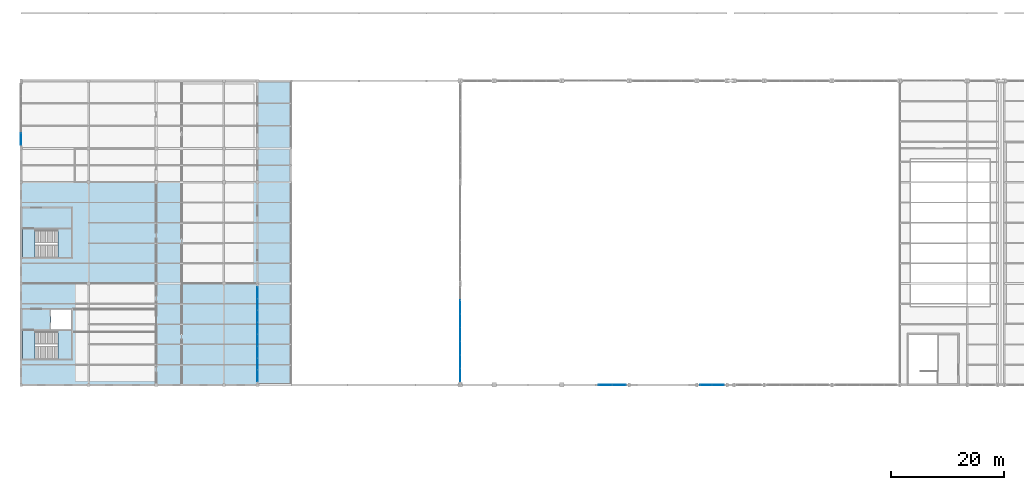
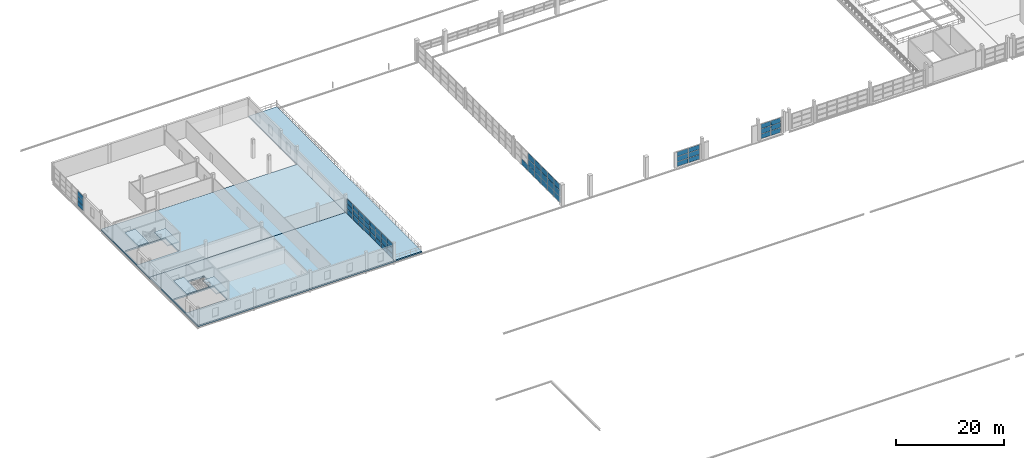
# One storey, part 70 of 86: 55 plates, 7 slabs, 7 elements without a shape of their own.
"""IFC4 building model written with IfcOpenShell, lengths in metres."""

from ifc_helpers import new_model, si_unit, direction, frame, origin, origin_2d, place, context, subcontext, project, spatial, polyline, rectangle, outline, extrude, material, layer, layer_set, type_object, element, aggregate, save


model = new_model("IFC4")

# Units and contexts
model_context = context("Model", 3, precision=1e-05, world=origin(), true_north=direction((0.0, 1.0)))
body_context = subcontext(model_context, "Body", "Model", "MODEL_VIEW")
ifc_project = project(units=[si_unit("LENGTHUNIT", "METRE"), si_unit("AREAUNIT", "SQUARE_METRE"), si_unit("VOLUMEUNIT", "CUBIC_METRE"), si_unit("PLANEANGLEUNIT", "RADIAN"), si_unit("MASSUNIT", "GRAM", prefix="KILO")], contexts=[model_context])

# Site, building, storey
site_placement = place(None, origin())
site = spatial("IfcSite", under=ifc_project, at=site_placement, CompositionType="ELEMENT")
building_placement = place(site_placement, origin())
building = spatial("IfcBuilding", under=site, at=building_placement, Name="Zilviju Railside Exhibition Hall", CompositionType="ELEMENT")
storey_placement = place(building_placement, frame((0.0, 0.0, 12.60009765625)))
storey = spatial("IfcBuildingStorey", under=building, at=storey_placement, Name="L04", CompositionType="ELEMENT", Elevation=12.60009765625)

# Curtain wall, plates
ifc_material_1 = material(Name="Thermally broken aluminium-steel triple-glazed curtain wall", Category="steel")
ifc_layer_1 = layer(ifc_material_1, 0.179931640625)
ifc_layer_set_1 = layer_set([ifc_layer_1], Name="Thermally broken aluminium-steel triple-glazed curtain wall")
curtain_wall_type_1 = type_object("IfcCurtainWallType", Name="CW-BAY-12", PredefinedType="USERDEFINED", material=ifc_layer_set_1)
curtain_wall_1_placement = place(storey_placement, origin())
curtain_wall_1 = element("IfcCurtainWall", 1, at=curtain_wall_1_placement, inside=storey, type_object=curtain_wall_type_1, Name="North Hall Garden Court Curtain Wall L04 (120..125)", ObjectType="GLAZED CURTAIN WALL", PredefinedType="USERDEFINED")
ifc_material_2 = material(Name="Triple-glazed solar-control glass unit", Category="glass")
ifc_layer_2 = layer(ifc_material_2, 0.0380859375)
ifc_layer_set_2 = layer_set([ifc_layer_2], Name="Triple-glazed solar-control glass unit")
plate_type_1 = type_object("IfcPlateType", Name="CWP-IGU-38", PredefinedType="CURTAIN_PANEL", material=ifc_layer_set_2)
plate_1_placement = place(storey_placement, frame((123.7587890625, 84.0, 0.06494140625), z_axis=(0.0, 0.0, 1.0), x_axis=(-1.0, 0.0, 0.0)))
plate_1 = element("IfcPlate", 2, at=plate_1_placement, type_object=plate_type_1, Name="CW-12 panel 1.1", PredefinedType="CURTAIN_PANEL", context=body_context, shape_type="SweptSolid", body=[
    extrude(rectangle(XDim=2.052490234375, YDim=0.0380859375, at=origin_2d()), origin(), (0.0, 0.0, 1.0), 1.052490234375),
])
plate_2_placement = place(storey_placement, frame((123.7587890625, 84.0, 1.182373046875), z_axis=(0.0, 0.0, 1.0), x_axis=(-1.0, 0.0, 0.0)))
plate_2 = element("IfcPlate", 3, at=plate_2_placement, type_object=plate_type_1, Name="CW-12 panel 1.2", PredefinedType="CURTAIN_PANEL", context=body_context, shape_type="SweptSolid", body=[
    extrude(rectangle(XDim=2.052490234375, YDim=0.0380859375, at=origin_2d()), origin(), (0.0, 0.0, 1.0), 1.0849609375),
])
plate_3_placement = place(storey_placement, frame((123.7587890625, 84.0, 2.33251953125), z_axis=(0.0, 0.0, 1.0), x_axis=(-1.0, 0.0, 0.0)))
plate_3 = element("IfcPlate", 4, at=plate_3_placement, type_object=plate_type_1, Name="CW-12 panel 1.3", PredefinedType="CURTAIN_PANEL", context=body_context, shape_type="SweptSolid", body=[
    extrude(rectangle(XDim=2.052490234375, YDim=0.0380859375, at=origin_2d()), origin(), (0.0, 0.0, 1.0), 1.052490234375),
])
plate_4_placement = place(storey_placement, frame((121.641357421875, 84.0, 0.06494140625), z_axis=(0.0, 0.0, 1.0), x_axis=(-1.0, 0.0, 0.0)))
plate_4 = element("IfcPlate", 5, at=plate_4_placement, type_object=plate_type_1, Name="CW-12 panel 2.1", PredefinedType="CURTAIN_PANEL", context=body_context, shape_type="SweptSolid", body=[
    extrude(rectangle(XDim=2.052490234375, YDim=0.0380859375, at=origin_2d()), origin(), (0.0, 0.0, 1.0), 1.052490234375),
])
plate_5_placement = place(storey_placement, frame((121.641357421875, 84.0, 1.182373046875), z_axis=(0.0, 0.0, 1.0), x_axis=(-1.0, 0.0, 0.0)))
plate_5 = element("IfcPlate", 6, at=plate_5_placement, type_object=plate_type_1, Name="CW-12 panel 2.2", PredefinedType="CURTAIN_PANEL", context=body_context, shape_type="SweptSolid", body=[
    extrude(rectangle(XDim=2.052490234375, YDim=0.0380859375, at=origin_2d()), origin(), (0.0, 0.0, 1.0), 1.0849609375),
])
plate_6_placement = place(storey_placement, frame((121.641357421875, 84.0, 2.33251953125), z_axis=(0.0, 0.0, 1.0), x_axis=(-1.0, 0.0, 0.0)))
plate_6 = element("IfcPlate", 7, at=plate_6_placement, type_object=plate_type_1, Name="CW-12 panel 2.3", PredefinedType="CURTAIN_PANEL", context=body_context, shape_type="SweptSolid", body=[
    extrude(rectangle(XDim=2.052490234375, YDim=0.0380859375, at=origin_2d()), origin(), (0.0, 0.0, 1.0), 1.052490234375),
])
aggregate(curtain_wall_1, [plate_1, plate_2, plate_3, plate_4, plate_5, plate_6])

ifc_layer_3 = layer(ifc_material_1, 0.179931640625)
ifc_layer_set_3 = layer_set([ifc_layer_3], Name="Thermally broken aluminium-steel triple-glazed curtain wall")
curtain_wall_type_2 = type_object("IfcCurtainWallType", Name="CW-BAY-16", PredefinedType="USERDEFINED", material=ifc_layer_set_3)
curtain_wall_2_placement = place(storey_placement, origin())
curtain_wall_2 = element("IfcCurtainWall", 8, at=curtain_wall_2_placement, inside=storey, type_object=curtain_wall_type_2, Name="North Hall West Upper Glazed Gable (84..102)", ObjectType="GLAZED CURTAIN WALL", PredefinedType="USERDEFINED")
plate_7_placement = place(storey_placement, frame((78.0, 85.7734375, 0.06494140625), z_axis=(0.0, 0.0, 1.0), x_axis=(0.0, 1.0, 0.0)))
plate_7 = element("IfcPlate", 9, at=plate_7_placement, type_object=plate_type_1, Name="CW-16 panel 1.1", PredefinedType="CURTAIN_PANEL", context=body_context, shape_type="SweptSolid", body=[
    extrude(rectangle(XDim=2.31689453125, YDim=0.0380859375, at=origin_2d()), origin(), (0.0, 0.0, 1.0), 1.302490234375),
])
plate_8_placement = place(storey_placement, frame((78.0, 85.7734375, 1.432373046875), z_axis=(0.0, 0.0, 1.0), x_axis=(0.0, 1.0, 0.0)))
plate_8 = element("IfcPlate", 10, at=plate_8_placement, type_object=plate_type_1, Name="CW-16 panel 1.2", PredefinedType="CURTAIN_PANEL", context=body_context, shape_type="SweptSolid", body=[
    extrude(rectangle(XDim=2.31689453125, YDim=0.0380859375, at=origin_2d()), origin(), (0.0, 0.0, 1.0), 1.3349609375),
])
plate_9_placement = place(storey_placement, frame((78.0, 85.7734375, 2.83251953125), z_axis=(0.0, 0.0, 1.0), x_axis=(0.0, 1.0, 0.0)))
plate_9 = element("IfcPlate", 11, at=plate_9_placement, type_object=plate_type_1, Name="CW-16 panel 1.3", PredefinedType="CURTAIN_PANEL", context=body_context, shape_type="SweptSolid", body=[
    extrude(rectangle(XDim=2.31689453125, YDim=0.0380859375, at=origin_2d()), origin(), (0.0, 0.0, 1.0), 1.302490234375),
])
plate_10_placement = place(storey_placement, frame((78.0, 88.17138671875, 0.06494140625), z_axis=(0.0, 0.0, 1.0), x_axis=(0.0, 1.0, 0.0)))
plate_10 = element("IfcPlate", 12, at=plate_10_placement, type_object=plate_type_1, Name="CW-16 panel 2.1", PredefinedType="CURTAIN_PANEL", context=body_context, shape_type="SweptSolid", body=[
    extrude(rectangle(XDim=2.349365234375, YDim=0.0380859375, at=origin_2d()), origin(), (0.0, 0.0, 1.0), 1.302490234375),
])
plate_11_placement = place(storey_placement, frame((78.0, 88.17138671875, 1.432373046875), z_axis=(0.0, 0.0, 1.0), x_axis=(0.0, 1.0, 0.0)))
plate_11 = element("IfcPlate", 13, at=plate_11_placement, type_object=plate_type_1, Name="CW-16 panel 2.2", PredefinedType="CURTAIN_PANEL", context=body_context, shape_type="SweptSolid", body=[
    extrude(rectangle(XDim=2.349365234375, YDim=0.0380859375, at=origin_2d()), origin(), (0.0, 0.0, 1.0), 1.3349609375),
])
plate_12_placement = place(storey_placement, frame((78.0, 88.17138671875, 2.83251953125), z_axis=(0.0, 0.0, 1.0), x_axis=(0.0, 1.0, 0.0)))
plate_12 = element("IfcPlate", 14, at=plate_12_placement, type_object=plate_type_1, Name="CW-16 panel 2.3", PredefinedType="CURTAIN_PANEL", context=body_context, shape_type="SweptSolid", body=[
    extrude(rectangle(XDim=2.349365234375, YDim=0.0380859375, at=origin_2d()), origin(), (0.0, 0.0, 1.0), 1.302490234375),
])
plate_13_placement = place(storey_placement, frame((78.0, 90.585693359375, 0.06494140625), z_axis=(0.0, 0.0, 1.0), x_axis=(0.0, 1.0, 0.0)))
plate_13 = element("IfcPlate", 15, at=plate_13_placement, type_object=plate_type_1, Name="CW-16 panel 3.1", PredefinedType="CURTAIN_PANEL", context=body_context, shape_type="SweptSolid", body=[
    extrude(rectangle(XDim=2.349365234375, YDim=0.0380859375, at=origin_2d()), origin(), (0.0, 0.0, 1.0), 1.302490234375),
])
plate_14_placement = place(storey_placement, frame((78.0, 90.585693359375, 1.432373046875), z_axis=(0.0, 0.0, 1.0), x_axis=(0.0, 1.0, 0.0)))
plate_14 = element("IfcPlate", 16, at=plate_14_placement, type_object=plate_type_1, Name="CW-16 panel 3.2", PredefinedType="CURTAIN_PANEL", context=body_context, shape_type="SweptSolid", body=[
    extrude(rectangle(XDim=2.349365234375, YDim=0.0380859375, at=origin_2d()), origin(), (0.0, 0.0, 1.0), 1.3349609375),
])
plate_15_placement = place(storey_placement, frame((78.0, 90.585693359375, 2.83251953125), z_axis=(0.0, 0.0, 1.0), x_axis=(0.0, 1.0, 0.0)))
plate_15 = element("IfcPlate", 17, at=plate_15_placement, type_object=plate_type_1, Name="CW-16 panel 3.3", PredefinedType="CURTAIN_PANEL", context=body_context, shape_type="SweptSolid", body=[
    extrude(rectangle(XDim=2.349365234375, YDim=0.0380859375, at=origin_2d()), origin(), (0.0, 0.0, 1.0), 1.302490234375),
])
plate_16_placement = place(storey_placement, frame((78.0, 93.0, 0.06494140625), z_axis=(0.0, 0.0, 1.0), x_axis=(0.0, 1.0, 0.0)))
plate_16 = element("IfcPlate", 18, at=plate_16_placement, type_object=plate_type_1, Name="CW-16 panel 4.1", PredefinedType="CURTAIN_PANEL", context=body_context, shape_type="SweptSolid", body=[
    extrude(rectangle(XDim=2.349365234375, YDim=0.0380859375, at=origin_2d()), origin(), (0.0, 0.0, 1.0), 1.302490234375),
])
plate_17_placement = place(storey_placement, frame((78.0, 93.0, 1.432373046875), z_axis=(0.0, 0.0, 1.0), x_axis=(0.0, 1.0, 0.0)))
plate_17 = element("IfcPlate", 19, at=plate_17_placement, type_object=plate_type_1, Name="CW-16 panel 4.2", PredefinedType="CURTAIN_PANEL", context=body_context, shape_type="SweptSolid", body=[
    extrude(rectangle(XDim=2.349365234375, YDim=0.0380859375, at=origin_2d()), origin(), (0.0, 0.0, 1.0), 1.3349609375),
])
plate_18_placement = place(storey_placement, frame((78.0, 93.0, 2.83251953125), z_axis=(0.0, 0.0, 1.0), x_axis=(0.0, 1.0, 0.0)))
plate_18 = element("IfcPlate", 20, at=plate_18_placement, type_object=plate_type_1, Name="CW-16 panel 4.3", PredefinedType="CURTAIN_PANEL", context=body_context, shape_type="SweptSolid", body=[
    extrude(rectangle(XDim=2.349365234375, YDim=0.0380859375, at=origin_2d()), origin(), (0.0, 0.0, 1.0), 1.302490234375),
])
plate_19_placement = place(storey_placement, frame((78.0, 95.414306640625, 0.06494140625), z_axis=(0.0, 0.0, 1.0), x_axis=(0.0, 1.0, 0.0)))
plate_19 = element("IfcPlate", 21, at=plate_19_placement, type_object=plate_type_1, Name="CW-16 panel 5.1", PredefinedType="CURTAIN_PANEL", context=body_context, shape_type="SweptSolid", body=[
    extrude(rectangle(XDim=2.349365234375, YDim=0.0380859375, at=origin_2d()), origin(), (0.0, 0.0, 1.0), 1.302490234375),
])
plate_20_placement = place(storey_placement, frame((78.0, 95.414306640625, 1.432373046875), z_axis=(0.0, 0.0, 1.0), x_axis=(0.0, 1.0, 0.0)))
plate_20 = element("IfcPlate", 22, at=plate_20_placement, type_object=plate_type_1, Name="CW-16 panel 5.2", PredefinedType="CURTAIN_PANEL", context=body_context, shape_type="SweptSolid", body=[
    extrude(rectangle(XDim=2.349365234375, YDim=0.0380859375, at=origin_2d()), origin(), (0.0, 0.0, 1.0), 1.3349609375),
])
plate_21_placement = place(storey_placement, frame((78.0, 95.414306640625, 2.83251953125), z_axis=(0.0, 0.0, 1.0), x_axis=(0.0, 1.0, 0.0)))
plate_21 = element("IfcPlate", 23, at=plate_21_placement, type_object=plate_type_1, Name="CW-16 panel 5.3", PredefinedType="CURTAIN_PANEL", context=body_context, shape_type="SweptSolid", body=[
    extrude(rectangle(XDim=2.349365234375, YDim=0.0380859375, at=origin_2d()), origin(), (0.0, 0.0, 1.0), 1.302490234375),
])
plate_22_placement = place(storey_placement, frame((78.0, 97.82861328125, 0.06494140625), z_axis=(0.0, 0.0, 1.0), x_axis=(0.0, 1.0, 0.0)))
plate_22 = element("IfcPlate", 24, at=plate_22_placement, type_object=plate_type_1, Name="CW-16 panel 6.1", PredefinedType="CURTAIN_PANEL", context=body_context, shape_type="SweptSolid", body=[
    extrude(rectangle(XDim=2.349365234375, YDim=0.0380859375, at=origin_2d()), origin(), (0.0, 0.0, 1.0), 1.302490234375),
])
aggregate(curtain_wall_2, [plate_7, plate_8, plate_9, plate_10, plate_11, plate_12, plate_13, plate_14, plate_15, plate_16, plate_17, plate_18, plate_19, plate_20, plate_21, plate_22])

ifc_layer_4 = layer(ifc_material_1, 0.179931640625)
ifc_layer_set_4 = layer_set([ifc_layer_4], Name="Thermally broken aluminium-steel triple-glazed curtain wall")
curtain_wall_type_3 = type_object("IfcCurtainWallType", Name="CW-BAY-11", PredefinedType="USERDEFINED", material=ifc_layer_set_4)
curtain_wall_3_placement = place(storey_placement, origin())
curtain_wall_3 = element("IfcCurtainWall", 25, at=curtain_wall_3_placement, inside=storey, type_object=curtain_wall_type_3, Name="North Hall Garden Court Curtain Wall L04 (102..108)", ObjectType="GLAZED CURTAIN WALL", PredefinedType="USERDEFINED")
ifc_material_3 = material(Name="Triple-glazed low-E argon insulating glass unit", Category="glass")
ifc_layer_5 = layer(ifc_material_3, 0.0439453125)
ifc_layer_set_5 = layer_set([ifc_layer_5], Name="Triple-glazed low-E argon insulating glass unit")
plate_type_2 = type_object("IfcPlateType", Name="CWP-IGU-44", PredefinedType="CURTAIN_PANEL", material=ifc_layer_set_5)
plate_23_placement = place(storey_placement, frame((106.20751953125, 84.0, 0.06982421875), z_axis=(0.0, 0.0, 1.0), x_axis=(-1.0, 0.0, 0.0)))
plate_23 = element("IfcPlate", 26, at=plate_23_placement, type_object=plate_type_2, Name="CW-11 panel 1.1", PredefinedType="CURTAIN_PANEL", context=body_context, shape_type="SweptSolid", body=[
    extrude(rectangle(XDim=2.344970703125, YDim=0.0439453125, at=origin_2d()), origin(), (0.0, 0.0, 1.0), 1.044921875),
])
plate_24_placement = place(storey_placement, frame((106.20751953125, 84.0, 1.184814453125), z_axis=(0.0, 0.0, 1.0), x_axis=(-1.0, 0.0, 0.0)))
plate_24 = element("IfcPlate", 27, at=plate_24_placement, type_object=plate_type_2, Name="CW-11 panel 1.2", PredefinedType="CURTAIN_PANEL", context=body_context, shape_type="SweptSolid", body=[
    extrude(rectangle(XDim=2.344970703125, YDim=0.0439453125, at=origin_2d()), origin(), (0.0, 0.0, 1.0), 1.080078125),
])
plate_25_placement = place(storey_placement, frame((106.20751953125, 84.0, 2.3349609375), z_axis=(0.0, 0.0, 1.0), x_axis=(-1.0, 0.0, 0.0)))
plate_25 = element("IfcPlate", 28, at=plate_25_placement, type_object=plate_type_2, Name="CW-11 panel 1.3", PredefinedType="CURTAIN_PANEL", context=body_context, shape_type="SweptSolid", body=[
    extrude(rectangle(XDim=2.344970703125, YDim=0.0439453125, at=origin_2d()), origin(), (0.0, 0.0, 1.0), 1.044921875),
])
plate_26_placement = place(storey_placement, frame((103.79248046875, 84.0, 0.06982421875), z_axis=(0.0, 0.0, 1.0), x_axis=(-1.0, 0.0, 0.0)))
plate_26 = element("IfcPlate", 29, at=plate_26_placement, type_object=plate_type_2, Name="CW-11 panel 2.1", PredefinedType="CURTAIN_PANEL", context=body_context, shape_type="SweptSolid", body=[
    extrude(rectangle(XDim=2.344970703125, YDim=0.0439453125, at=origin_2d()), origin(), (0.0, 0.0, 1.0), 1.044921875),
])
plate_27_placement = place(storey_placement, frame((103.79248046875, 84.0, 1.184814453125), z_axis=(0.0, 0.0, 1.0), x_axis=(-1.0, 0.0, 0.0)))
plate_27 = element("IfcPlate", 30, at=plate_27_placement, type_object=plate_type_2, Name="CW-11 panel 2.2", PredefinedType="CURTAIN_PANEL", context=body_context, shape_type="SweptSolid", body=[
    extrude(rectangle(XDim=2.344970703125, YDim=0.0439453125, at=origin_2d()), origin(), (0.0, 0.0, 1.0), 1.080078125),
])
plate_28_placement = place(storey_placement, frame((103.79248046875, 84.0, 2.3349609375), z_axis=(0.0, 0.0, 1.0), x_axis=(-1.0, 0.0, 0.0)))
plate_28 = element("IfcPlate", 31, at=plate_28_placement, type_object=plate_type_2, Name="CW-11 panel 2.3", PredefinedType="CURTAIN_PANEL", context=body_context, shape_type="SweptSolid", body=[
    extrude(rectangle(XDim=2.344970703125, YDim=0.0439453125, at=origin_2d()), origin(), (0.0, 0.0, 1.0), 1.044921875),
])
aggregate(curtain_wall_3, [plate_23, plate_24, plate_25, plate_26, plate_27, plate_28])

ifc_layer_6 = layer(ifc_material_1, 0.179931640625)
ifc_layer_set_6 = layer_set([ifc_layer_6], Name="Thermally broken aluminium-steel triple-glazed curtain wall")
curtain_wall_type_4 = type_object("IfcCurtainWallType", Name="CW-BAY-06", PredefinedType="USERDEFINED", material=ifc_layer_set_6)
curtain_wall_4_placement = place(storey_placement, origin())
curtain_wall_4 = element("IfcCurtainWall", 32, at=curtain_wall_4_placement, inside=storey, type_object=curtain_wall_type_4, Name="Organisers Wing Jugendstils Erkeri Curtain Wall L04", ObjectType="GLAZED CURTAIN WALL", PredefinedType="USERDEFINED")
ifc_material_4 = material(Name="Insulated cobalt-blue enamelled spandrel glass panel", Category="glass")
ifc_layer_7 = layer(ifc_material_4, 0.052001953125)
ifc_layer_set_7 = layer_set([ifc_layer_7], Name="Insulated cobalt-blue enamelled spandrel glass panel")
plate_type_3 = type_object("IfcPlateType", Name="CWP-SPD-52", PredefinedType="CURTAIN_PANEL", material=ifc_layer_set_7)
plate_29_placement = place(storey_placement, frame((0.0, 127.659912109375, 0.080078125), z_axis=(0.0, 0.0, 1.0), x_axis=(0.0, 1.0, 0.0)))
plate_29 = element("IfcPlate", 33, at=plate_29_placement, type_object=plate_type_3, Name="CW-06 panel 1.1", PredefinedType="CURTAIN_PANEL", context=body_context, shape_type="SweptSolid", body=[
    extrude(rectangle(XDim=2.06005859375, YDim=0.052001953125, at=origin_2d()), origin(), (0.0, 0.0, 1.0), 1.047119140625),
])
plate_30_placement = place(storey_placement, frame((0.0, 127.659912109375, 1.20703125), z_axis=(0.0, 0.0, 1.0), x_axis=(0.0, 1.0, 0.0)))
plate_30 = element("IfcPlate", 34, at=plate_30_placement, type_object=plate_type_3, Name="CW-06 panel 1.2", PredefinedType="CURTAIN_PANEL", context=body_context, shape_type="SweptSolid", body=[
    extrude(rectangle(XDim=2.06005859375, YDim=0.052001953125, at=origin_2d()), origin(), (0.0, 0.0, 1.0), 1.0859375),
])
plate_31_placement = place(storey_placement, frame((0.0, 127.659912109375, 2.373046875), z_axis=(0.0, 0.0, 1.0), x_axis=(0.0, 1.0, 0.0)))
plate_31 = element("IfcPlate", 35, at=plate_31_placement, type_object=plate_type_3, Name="CW-06 panel 1.3", PredefinedType="CURTAIN_PANEL", context=body_context, shape_type="SweptSolid", body=[
    extrude(rectangle(XDim=2.06005859375, YDim=0.052001953125, at=origin_2d()), origin(), (0.0, 0.0, 1.0), 1.047119140625),
])
aggregate(curtain_wall_4, [plate_29, plate_30, plate_31])

ifc_layer_8 = layer(ifc_material_1, 0.179931640625)
ifc_layer_set_8 = layer_set([ifc_layer_8], Name="Thermally broken aluminium-steel triple-glazed curtain wall")
curtain_wall_type_5 = type_object("IfcCurtainWallType", Name="CW-BAY-07", PredefinedType="USERDEFINED", material=ifc_layer_set_8)
curtain_wall_5_placement = place(storey_placement, origin())
curtain_wall_5 = element("IfcCurtainWall", 36, at=curtain_wall_5_placement, inside=storey, type_object=curtain_wall_type_5, Name="Organisers L04 Terrace Lounge Curtain Wall", ObjectType="GLAZED CURTAIN WALL", PredefinedType="USERDEFINED")
ifc_material_5 = material(Name="Insulated emerald ceramic-frit spandrel panel", Category="glass")
ifc_layer_9 = layer(ifc_material_5, 0.06396484375)
ifc_layer_set_9 = layer_set([ifc_layer_9], Name="Insulated emerald ceramic-frit spandrel panel")
plate_type_4 = type_object("IfcPlateType", Name="CWP-SPD-64", PredefinedType="CURTAIN_PANEL", material=ifc_layer_set_9)
plate_32_placement = place(storey_placement, frame((42.0, 100.375, 0.074951171875), z_axis=(0.0, 0.0, 1.0), x_axis=(0.0, -1.0, 0.0)))
plate_32 = element("IfcPlate", 37, at=plate_32_placement, type_object=plate_type_4, Name="CW-07 panel 1.1", PredefinedType="CURTAIN_PANEL", context=body_context, shape_type="SweptSolid", body=[
    extrude(rectangle(XDim=2.0, YDim=0.06396484375, at=origin_2d()), origin(), (0.0, 0.0, 1.0), 1.060546875),
])
plate_33_placement = place(storey_placement, frame((42.0, 100.375, 1.21044921875), z_axis=(0.0, 0.0, 1.0), x_axis=(0.0, -1.0, 0.0)))
plate_33 = element("IfcPlate", 38, at=plate_33_placement, type_object=plate_type_4, Name="CW-07 panel 1.2", PredefinedType="CURTAIN_PANEL", context=body_context, shape_type="SweptSolid", body=[
    extrude(rectangle(XDim=2.0, YDim=0.06396484375, at=origin_2d()), origin(), (0.0, 0.0, 1.0), 1.09912109375),
])
plate_34_placement = place(storey_placement, frame((42.0, 100.375, 2.38427734375), z_axis=(0.0, 0.0, 1.0), x_axis=(0.0, -1.0, 0.0)))
plate_34 = element("IfcPlate", 39, at=plate_34_placement, type_object=plate_type_4, Name="CW-07 panel 1.3", PredefinedType="CURTAIN_PANEL", context=body_context, shape_type="SweptSolid", body=[
    extrude(rectangle(XDim=2.0, YDim=0.06396484375, at=origin_2d()), origin(), (0.0, 0.0, 1.0), 1.060546875),
])
plate_35_placement = place(storey_placement, frame((42.0, 98.28125, 0.074951171875), z_axis=(0.0, 0.0, 1.0), x_axis=(0.0, -1.0, 0.0)))
plate_35 = element("IfcPlate", 40, at=plate_35_placement, type_object=plate_type_4, Name="CW-07 panel 2.1", PredefinedType="CURTAIN_PANEL", context=body_context, shape_type="SweptSolid", body=[
    extrude(rectangle(XDim=2.03759765625, YDim=0.06396484375, at=origin_2d()), origin(), (0.0, 0.0, 1.0), 1.060546875),
])
plate_36_placement = place(storey_placement, frame((42.0, 98.28125, 1.21044921875), z_axis=(0.0, 0.0, 1.0), x_axis=(0.0, -1.0, 0.0)))
plate_36 = element("IfcPlate", 41, at=plate_36_placement, type_object=plate_type_4, Name="CW-07 panel 2.2", PredefinedType="CURTAIN_PANEL", context=body_context, shape_type="SweptSolid", body=[
    extrude(rectangle(XDim=2.03759765625, YDim=0.06396484375, at=origin_2d()), origin(), (0.0, 0.0, 1.0), 1.09912109375),
])
plate_37_placement = place(storey_placement, frame((42.0, 98.28125, 2.38427734375), z_axis=(0.0, 0.0, 1.0), x_axis=(0.0, -1.0, 0.0)))
plate_37 = element("IfcPlate", 42, at=plate_37_placement, type_object=plate_type_4, Name="CW-07 panel 2.3", PredefinedType="CURTAIN_PANEL", context=body_context, shape_type="SweptSolid", body=[
    extrude(rectangle(XDim=2.03759765625, YDim=0.06396484375, at=origin_2d()), origin(), (0.0, 0.0, 1.0), 1.060546875),
])
plate_38_placement = place(storey_placement, frame((42.0, 96.168701171875, 0.074951171875), z_axis=(0.0, 0.0, 1.0), x_axis=(0.0, -1.0, 0.0)))
plate_38 = element("IfcPlate", 43, at=plate_38_placement, type_object=plate_type_4, Name="CW-07 panel 3.1", PredefinedType="CURTAIN_PANEL", context=body_context, shape_type="SweptSolid", body=[
    extrude(rectangle(XDim=2.03759765625, YDim=0.06396484375, at=origin_2d()), origin(), (0.0, 0.0, 1.0), 1.060546875),
])
plate_39_placement = place(storey_placement, frame((42.0, 96.168701171875, 1.21044921875), z_axis=(0.0, 0.0, 1.0), x_axis=(0.0, -1.0, 0.0)))
plate_39 = element("IfcPlate", 44, at=plate_39_placement, type_object=plate_type_4, Name="CW-07 panel 3.2", PredefinedType="CURTAIN_PANEL", context=body_context, shape_type="SweptSolid", body=[
    extrude(rectangle(XDim=2.03759765625, YDim=0.06396484375, at=origin_2d()), origin(), (0.0, 0.0, 1.0), 1.09912109375),
])
plate_40_placement = place(storey_placement, frame((42.0, 96.168701171875, 2.38427734375), z_axis=(0.0, 0.0, 1.0), x_axis=(0.0, -1.0, 0.0)))
plate_40 = element("IfcPlate", 45, at=plate_40_placement, type_object=plate_type_4, Name="CW-07 panel 3.3", PredefinedType="CURTAIN_PANEL", context=body_context, shape_type="SweptSolid", body=[
    extrude(rectangle(XDim=2.03759765625, YDim=0.06396484375, at=origin_2d()), origin(), (0.0, 0.0, 1.0), 1.060546875),
])
plate_41_placement = place(storey_placement, frame((42.0, 94.05615234375, 0.074951171875), z_axis=(0.0, 0.0, 1.0), x_axis=(0.0, -1.0, 0.0)))
plate_41 = element("IfcPlate", 46, at=plate_41_placement, type_object=plate_type_4, Name="CW-07 panel 4.1", PredefinedType="CURTAIN_PANEL", context=body_context, shape_type="SweptSolid", body=[
    extrude(rectangle(XDim=2.03759765625, YDim=0.06396484375, at=origin_2d()), origin(), (0.0, 0.0, 1.0), 1.060546875),
])
plate_42_placement = place(storey_placement, frame((42.0, 94.05615234375, 1.21044921875), z_axis=(0.0, 0.0, 1.0), x_axis=(0.0, -1.0, 0.0)))
plate_42 = element("IfcPlate", 47, at=plate_42_placement, type_object=plate_type_4, Name="CW-07 panel 4.2", PredefinedType="CURTAIN_PANEL", context=body_context, shape_type="SweptSolid", body=[
    extrude(rectangle(XDim=2.03759765625, YDim=0.06396484375, at=origin_2d()), origin(), (0.0, 0.0, 1.0), 1.09912109375),
])
plate_43_placement = place(storey_placement, frame((42.0, 94.05615234375, 2.38427734375), z_axis=(0.0, 0.0, 1.0), x_axis=(0.0, -1.0, 0.0)))
plate_43 = element("IfcPlate", 48, at=plate_43_placement, type_object=plate_type_4, Name="CW-07 panel 4.3", PredefinedType="CURTAIN_PANEL", context=body_context, shape_type="SweptSolid", body=[
    extrude(rectangle(XDim=2.03759765625, YDim=0.06396484375, at=origin_2d()), origin(), (0.0, 0.0, 1.0), 1.060546875),
])
plate_44_placement = place(storey_placement, frame((42.0, 91.94384765625, 0.074951171875), z_axis=(0.0, 0.0, 1.0), x_axis=(0.0, -1.0, 0.0)))
plate_44 = element("IfcPlate", 49, at=plate_44_placement, type_object=plate_type_4, Name="CW-07 panel 5.1", PredefinedType="CURTAIN_PANEL", context=body_context, shape_type="SweptSolid", body=[
    extrude(rectangle(XDim=2.03759765625, YDim=0.06396484375, at=origin_2d()), origin(), (0.0, 0.0, 1.0), 1.060546875),
])
plate_45_placement = place(storey_placement, frame((42.0, 91.94384765625, 1.21044921875), z_axis=(0.0, 0.0, 1.0), x_axis=(0.0, -1.0, 0.0)))
plate_45 = element("IfcPlate", 50, at=plate_45_placement, type_object=plate_type_4, Name="CW-07 panel 5.2", PredefinedType="CURTAIN_PANEL", context=body_context, shape_type="SweptSolid", body=[
    extrude(rectangle(XDim=2.03759765625, YDim=0.06396484375, at=origin_2d()), origin(), (0.0, 0.0, 1.0), 1.09912109375),
])
plate_46_placement = place(storey_placement, frame((42.0, 91.94384765625, 2.38427734375), z_axis=(0.0, 0.0, 1.0), x_axis=(0.0, -1.0, 0.0)))
plate_46 = element("IfcPlate", 51, at=plate_46_placement, type_object=plate_type_4, Name="CW-07 panel 5.3", PredefinedType="CURTAIN_PANEL", context=body_context, shape_type="SweptSolid", body=[
    extrude(rectangle(XDim=2.03759765625, YDim=0.06396484375, at=origin_2d()), origin(), (0.0, 0.0, 1.0), 1.060546875),
])
plate_47_placement = place(storey_placement, frame((42.0, 89.831298828125, 0.074951171875), z_axis=(0.0, 0.0, 1.0), x_axis=(0.0, -1.0, 0.0)))
plate_47 = element("IfcPlate", 52, at=plate_47_placement, type_object=plate_type_4, Name="CW-07 panel 6.1", PredefinedType="CURTAIN_PANEL", context=body_context, shape_type="SweptSolid", body=[
    extrude(rectangle(XDim=2.03759765625, YDim=0.06396484375, at=origin_2d()), origin(), (0.0, 0.0, 1.0), 1.060546875),
])
plate_48_placement = place(storey_placement, frame((42.0, 89.831298828125, 1.21044921875), z_axis=(0.0, 0.0, 1.0), x_axis=(0.0, -1.0, 0.0)))
plate_48 = element("IfcPlate", 53, at=plate_48_placement, type_object=plate_type_4, Name="CW-07 panel 6.2", PredefinedType="CURTAIN_PANEL", context=body_context, shape_type="SweptSolid", body=[
    extrude(rectangle(XDim=2.03759765625, YDim=0.06396484375, at=origin_2d()), origin(), (0.0, 0.0, 1.0), 1.09912109375),
])
plate_49_placement = place(storey_placement, frame((42.0, 89.831298828125, 2.38427734375), z_axis=(0.0, 0.0, 1.0), x_axis=(0.0, -1.0, 0.0)))
plate_49 = element("IfcPlate", 54, at=plate_49_placement, type_object=plate_type_4, Name="CW-07 panel 6.3", PredefinedType="CURTAIN_PANEL", context=body_context, shape_type="SweptSolid", body=[
    extrude(rectangle(XDim=2.03759765625, YDim=0.06396484375, at=origin_2d()), origin(), (0.0, 0.0, 1.0), 1.060546875),
])
plate_50_placement = place(storey_placement, frame((42.0, 87.71875, 0.074951171875), z_axis=(0.0, 0.0, 1.0), x_axis=(0.0, -1.0, 0.0)))
plate_50 = element("IfcPlate", 55, at=plate_50_placement, type_object=plate_type_4, Name="CW-07 panel 7.1", PredefinedType="CURTAIN_PANEL", context=body_context, shape_type="SweptSolid", body=[
    extrude(rectangle(XDim=2.03759765625, YDim=0.06396484375, at=origin_2d()), origin(), (0.0, 0.0, 1.0), 1.060546875),
])
plate_51_placement = place(storey_placement, frame((42.0, 87.71875, 1.21044921875), z_axis=(0.0, 0.0, 1.0), x_axis=(0.0, -1.0, 0.0)))
plate_51 = element("IfcPlate", 56, at=plate_51_placement, type_object=plate_type_4, Name="CW-07 panel 7.2", PredefinedType="CURTAIN_PANEL", context=body_context, shape_type="SweptSolid", body=[
    extrude(rectangle(XDim=2.03759765625, YDim=0.06396484375, at=origin_2d()), origin(), (0.0, 0.0, 1.0), 1.09912109375),
])
plate_52_placement = place(storey_placement, frame((42.0, 87.71875, 2.38427734375), z_axis=(0.0, 0.0, 1.0), x_axis=(0.0, -1.0, 0.0)))
plate_52 = element("IfcPlate", 57, at=plate_52_placement, type_object=plate_type_4, Name="CW-07 panel 7.3", PredefinedType="CURTAIN_PANEL", context=body_context, shape_type="SweptSolid", body=[
    extrude(rectangle(XDim=2.03759765625, YDim=0.06396484375, at=origin_2d()), origin(), (0.0, 0.0, 1.0), 1.060546875),
])
plate_53_placement = place(storey_placement, frame((42.0, 85.625, 0.074951171875), z_axis=(0.0, 0.0, 1.0), x_axis=(0.0, -1.0, 0.0)))
plate_53 = element("IfcPlate", 58, at=plate_53_placement, type_object=plate_type_4, Name="CW-07 panel 8.1", PredefinedType="CURTAIN_PANEL", context=body_context, shape_type="SweptSolid", body=[
    extrude(rectangle(XDim=2.0, YDim=0.06396484375, at=origin_2d()), origin(), (0.0, 0.0, 1.0), 1.060546875),
])
plate_54_placement = place(storey_placement, frame((42.0, 85.625, 1.21044921875), z_axis=(0.0, 0.0, 1.0), x_axis=(0.0, -1.0, 0.0)))
plate_54 = element("IfcPlate", 59, at=plate_54_placement, type_object=plate_type_4, Name="CW-07 panel 8.2", PredefinedType="CURTAIN_PANEL", context=body_context, shape_type="SweptSolid", body=[
    extrude(rectangle(XDim=2.0, YDim=0.06396484375, at=origin_2d()), origin(), (0.0, 0.0, 1.0), 1.09912109375),
])
plate_55_placement = place(storey_placement, frame((42.0, 85.625, 2.38427734375), z_axis=(0.0, 0.0, 1.0), x_axis=(0.0, -1.0, 0.0)))
plate_55 = element("IfcPlate", 60, at=plate_55_placement, type_object=plate_type_4, Name="CW-07 panel 8.3", PredefinedType="CURTAIN_PANEL", context=body_context, shape_type="SweptSolid", body=[
    extrude(rectangle(XDim=2.0, YDim=0.06396484375, at=origin_2d()), origin(), (0.0, 0.0, 1.0), 1.060546875),
])
aggregate(curtain_wall_5, [plate_32, plate_33, plate_34, plate_35, plate_36, plate_37, plate_38, plate_39, plate_40, plate_41, plate_42, plate_43, plate_44, plate_45, plate_46, plate_47, plate_48, plate_49, plate_50, plate_51, plate_52, plate_53, plate_54, plate_55])

# Slabs
ifc_material_6 = material(Name="Concrete C35/45", Category="concrete")
ifc_layer_10 = layer(ifc_material_6, 0.340087890625)
ifc_layer_set_10 = layer_set([ifc_layer_10], Name="Concrete C35/45")
slab_type_1 = type_object("IfcSlabType", Name="SL-FLR-340", PredefinedType="FLOOR", material=ifc_layer_set_10)
slab_1_placement = place(storey_placement, frame((0.0, 0.0, -0.340087890625)))
element("IfcSlab", 61, at=slab_1_placement, inside=storey, type_object=slab_type_1, Name="Organisers Wing L04 Floor Slab 1", PredefinedType="FLOOR", context=body_context, shape_type="SweptSolid", body=[
    extrude(outline(polyline([(0.0, 84.0), (42.0, 84.0), (42.0, 102.0), (0.0, 102.0), (0.0, 84.0)]), holes=[polyline([(0.25, 88.64990234375), (8.949951171875, 88.64990234375), (8.949951171875, 93.64990234375), (0.25, 93.64990234375), (0.25, 88.64990234375)]), polyline([(5.300048828125, 93.89990234375), (8.949951171875, 93.89990234375), (8.949951171875, 97.35009765625), (5.300048828125, 97.35009765625), (5.300048828125, 93.89990234375)])]), origin(), (0.0, 0.0, 1.0), 0.340087890625),
])
slab_2_placement = place(storey_placement, frame((0.0, 0.0, -0.340087890625)))
element("IfcSlab", 62, at=slab_2_placement, inside=storey, type_object=slab_type_1, Name="Organisers Wing L04 Floor Slab 2", PredefinedType="FLOOR", context=body_context, shape_type="SweptSolid", body=[
    extrude(outline(polyline([(0.0, 102.0), (42.0, 102.0), (42.0, 120.0), (0.0, 120.0), (0.0, 102.0)]), holes=[polyline([(0.25, 106.64990234375), (8.949951171875, 106.64990234375), (8.949951171875, 111.64990234375), (0.25, 111.64990234375), (0.25, 106.64990234375)])]), origin(), (0.0, 0.0, 1.0), 0.340087890625),
])

# Stair, slabs
stair_type_1 = type_object("IfcStairType", Name="STAIR-ST-C", PredefinedType="HALF_TURN_STAIR", material=ifc_material_6)
stair_1_placement = place(storey_placement, origin())
stair_1 = element("IfcStair", 63, at=stair_1_placement, inside=storey, type_object=stair_type_1, Name="Core C15 Organisers Wing South Exit Stair L04", PredefinedType="HALF_TURN_STAIR")
ifc_layer_11 = layer(ifc_material_6, 0.199951171875)
ifc_layer_set_11 = layer_set([ifc_layer_11], Name="Concrete C35/45")
slab_type_2 = type_object("IfcSlabType", Name="SL-LAND-200", PredefinedType="LANDING", material=ifc_layer_set_11)
slab_3_placement = place(storey_placement, frame((0.0, 0.0, 1.89990234375)))
slab_3 = element("IfcSlab", 64, at=slab_3_placement, type_object=slab_type_2, Name="ST-15 landing 1", PredefinedType="LANDING", context=body_context, shape_type="SweptSolid", body=[
    extrude(outline(polyline([(6.530029296875, 88.64990234375), (6.530029296875, 93.64990234375), (8.949951171875, 93.64990234375), (8.949951171875, 88.64990234375), (6.530029296875, 88.64990234375)])), origin(), (0.0, 0.0, 1.0), 0.199951171875),
])
slab_4_placement = place(storey_placement, frame((0.0, 0.0, 4.0)))
slab_4 = element("IfcSlab", 65, at=slab_4_placement, type_object=slab_type_2, Name="ST-15 landing 2", PredefinedType="LANDING", context=body_context, shape_type="SweptSolid", body=[
    extrude(outline(polyline([(0.25, 88.64990234375), (0.25, 93.64990234375), (2.5, 93.64990234375), (2.5, 88.64990234375), (0.25, 88.64990234375)])), origin(), (0.0, 0.0, 1.0), 0.199951171875),
])
aggregate(stair_1, [slab_3, slab_4])

stair_type_2 = type_object("IfcStairType", Name="STAIR-ST-A", PredefinedType="HALF_TURN_STAIR", material=ifc_material_6)
stair_2_placement = place(storey_placement, origin())
stair_2 = element("IfcStair", 66, at=stair_2_placement, inside=storey, type_object=stair_type_2, Name="Core C16 Organisers Wing North Exit Stair L04", PredefinedType="HALF_TURN_STAIR")
slab_5_placement = place(storey_placement, frame((0.0, 0.0, 1.89990234375)))
slab_5 = element("IfcSlab", 67, at=slab_5_placement, type_object=slab_type_2, Name="ST-16 landing 1", PredefinedType="LANDING", context=body_context, shape_type="SweptSolid", body=[
    extrude(outline(polyline([(6.530029296875, 106.64990234375), (6.530029296875, 111.64990234375), (8.949951171875, 111.64990234375), (8.949951171875, 106.64990234375), (6.530029296875, 106.64990234375)])), origin(), (0.0, 0.0, 1.0), 0.199951171875),
])
slab_6_placement = place(storey_placement, frame((0.0, 0.0, 4.0)))
slab_6 = element("IfcSlab", 68, at=slab_6_placement, type_object=slab_type_2, Name="ST-16 landing 2", PredefinedType="LANDING", context=body_context, shape_type="SweptSolid", body=[
    extrude(outline(polyline([(0.25, 106.64990234375), (0.25, 111.64990234375), (2.5, 111.64990234375), (2.5, 106.64990234375), (0.25, 106.64990234375)])), origin(), (0.0, 0.0, 1.0), 0.199951171875),
])
aggregate(stair_2, [slab_5, slab_6])

# Slab
ifc_layer_12 = layer(ifc_material_6, 0.300048828125)
ifc_layer_set_12 = layer_set([ifc_layer_12], Name="Concrete C35/45")
slab_type_3 = type_object("IfcSlabType", Name="SL-RG-300", PredefinedType="ROOF", material=ifc_layer_set_12)
slab_7_placement = place(storey_placement, frame((0.0, 0.0, -0.300048828125)))
element("IfcSlab", 69, at=slab_7_placement, inside=storey, type_object=slab_type_3, Name="Organisers East Terrace Planted Roof Garden", PredefinedType="ROOF", context=body_context, shape_type="SweptSolid", body=[
    extrude(outline(polyline([(42.0, 84.0), (48.0, 84.0), (48.0, 138.0), (42.0, 138.0), (42.0, 84.0)])), origin(), (0.0, 0.0, 1.0), 0.300048828125),
])

save(model, "model.ifc")
